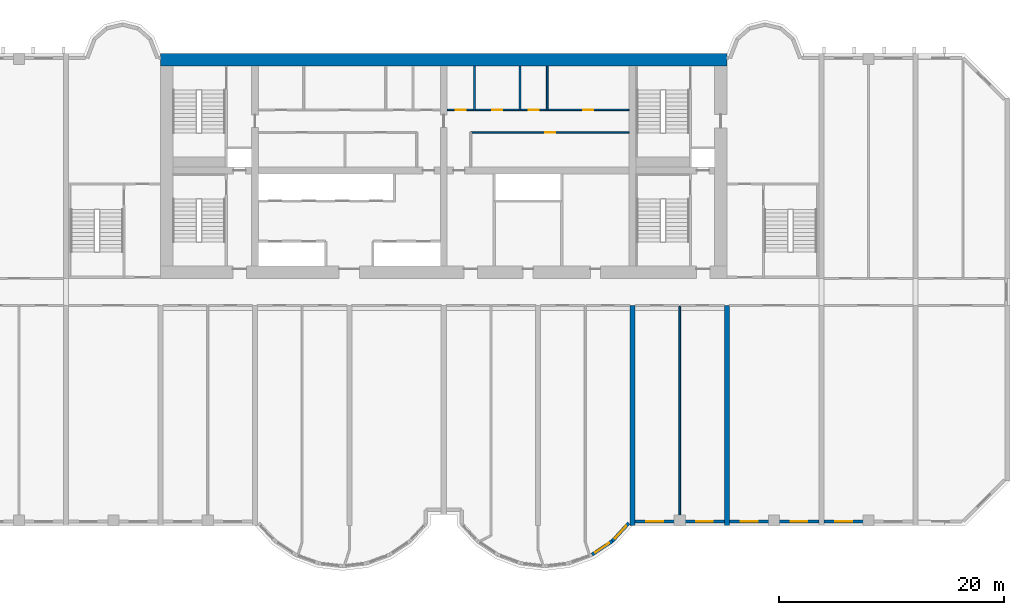
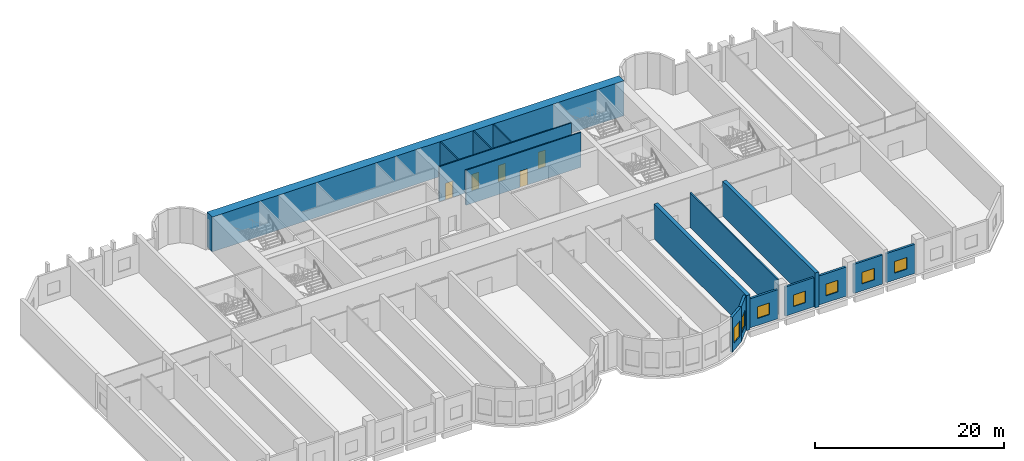
# One storey, part 6 of 10: 16 walls, 7 windows, 5 doors, 12 openings.
"""IFC4 building model written with IfcOpenShell, lengths in metres."""

import ifcopenshell
import ifcopenshell.guid

model = None  # the IFC model being written
_history = None  # IfcOwnerHistory: only IFC2X3 demands one
_inside = {}  # id of a spatial element -> (the spatial element, [elements in it])
_under = {}  # id of a project, library or spatial element -> (it, [spatial elements below it])
_declared = {}  # id of a project -> (the project, [libraries it declares])
_typed = {}  # id of a type object -> (the type object, [elements of that type])
_made_of = {}  # id of a material, layer set ... -> (it, [elements and type objects made of it])


def new_model(schema):
    """Start an empty IFC model of exactly this schema.

    Asked for "IFC4X3", IfcOpenShell would pick the latest addendum, in which some entities
    have other attributes; the version numbers below select the first issue.
    IFC2X3 requires an IfcOwnerHistory on every rooted entity: one is made here for all.
    """
    global model, _history
    if schema == "IFC4X3":
        model = ifcopenshell.file(schema_version=(4, 3, 0, 0))
    else:
        model = ifcopenshell.file(schema=schema)
    _inside.clear()
    _under.clear()
    _declared.clear()
    _typed.clear()
    _made_of.clear()
    _history = None
    if model.schema == "IFC2X3":
        org = make("IfcOrganization", Name="unknown")
        user = make(
            "IfcPersonAndOrganization",
            ThePerson=make("IfcPerson", FamilyName="unknown"),
            TheOrganization=org,
        )
        app = make(
            "IfcApplication",
            ApplicationDeveloper=org,
            Version="unknown",
            ApplicationFullName="unknown",
            ApplicationIdentifier="unknown",
        )
        _history = make(
            "IfcOwnerHistory",
            OwningUser=user,
            OwningApplication=app,
            ChangeAction="ADDED",
            CreationDate=0,
        )
    return model


def make(cls, **values):
    """One entity of the class cls with the attributes given. An attribute that is None is left unset."""
    return model.create_entity(
        cls, **{name: value for name, value in values.items() if value is not None}
    )


def rooted(cls, **values):
    """An entity with a GlobalId (a new one), such as an element, a storey or a relation."""
    return make(cls, GlobalId=ifcopenshell.guid.new(), OwnerHistory=_history, **values)


def si_unit(unit_type, name, prefix=None):
    """IfcSIUnit, for example si_unit("LENGTHUNIT", "METRE", prefix="MILLI")."""
    return make("IfcSIUnit", UnitType=unit_type, Prefix=prefix, Name=name)


def assignment(units):
    """IfcUnitAssignment: the units of a project."""
    return None if units is None else make("IfcUnitAssignment", Units=units)


def point(xyz):
    """IfcCartesianPoint."""
    return None if xyz is None else make("IfcCartesianPoint", Coordinates=xyz)


def direction(xyz):
    """IfcDirection."""
    return None if xyz is None else make("IfcDirection", DirectionRatios=xyz)


def frame(location, z_axis=None, x_axis=None):
    """IfcAxis2Placement3D, a coordinate frame: its origin and axes. An axis left out is left unset."""
    return make(
        "IfcAxis2Placement3D",
        Location=point(location),
        Axis=direction(z_axis),
        RefDirection=direction(x_axis),
    )


def frame_2d(location, x_axis=None):
    """IfcAxis2Placement2D, a coordinate frame in the plane: its origin and x axis."""
    return make(
        "IfcAxis2Placement2D", Location=point(location), RefDirection=direction(x_axis)
    )


def origin():
    """The frame at (0, 0, 0) with its axes left unset."""
    return frame((0.0, 0.0, 0.0))


def place(relative_to, where):
    """IfcLocalPlacement: puts the frame where relative to a parent placement (None: the world)."""
    return make(
        "IfcLocalPlacement", PlacementRelTo=relative_to, RelativePlacement=where
    )


def context(
    kind, dimensions, precision=None, world=None, true_north=None, identifier=None
):
    """IfcGeometricRepresentationContext, for example the 3D "Model" context."""
    return make(
        "IfcGeometricRepresentationContext",
        ContextIdentifier=identifier,
        ContextType=kind,
        CoordinateSpaceDimension=dimensions,
        Precision=precision,
        WorldCoordinateSystem=world,
        TrueNorth=true_north,
    )


def subcontext(parent, identifier, kind, view, scale=None):
    """IfcGeometricRepresentationSubContext, for example "Body" below "Model"."""
    return make(
        "IfcGeometricRepresentationSubContext",
        ContextIdentifier=identifier,
        ContextType=kind,
        ParentContext=parent,
        TargetScale=scale,
        TargetView=view,
    )


def project(units=None, contexts=None):
    """IfcProject with its units and contexts."""
    return rooted(
        "IfcProject",
        Name="project",
        RepresentationContexts=contexts,
        UnitsInContext=assignment(units),
    )


def spatial(cls, under=None, at=None, **own):
    """A site, building, storey or space (cls), placed at a placement, below another one or the project."""
    s = rooted(cls, ObjectPlacement=at, **own)
    if under is not None:
        _under.setdefault(under.id(), (under, []))[1].append(s)
    return s


def profile(cls, at=None, kind="AREA", **sizes):
    """A parametric profile (cls). Its sizes go by their IFC names, for example OverallWidth=200.0."""
    return make(cls, ProfileType=kind, Position=at, **sizes)


def rectangle(**sizes):
    """IfcRectangleProfileDef."""
    return profile("IfcRectangleProfileDef", **sizes)


def extrude(swept, where, along, depth):
    """IfcExtrudedAreaSolid: the profile swept, set in the frame where, extruded along a direction by depth."""
    return make(
        "IfcExtrudedAreaSolid",
        SweptArea=swept,
        Position=where,
        ExtrudedDirection=direction(along),
        Depth=depth,
    )


def shape(context_of_items, identifier, shape_type, items):
    """IfcShapeRepresentation: the items that make up one representation, for example the "Body"."""
    return make(
        "IfcShapeRepresentation",
        ContextOfItems=context_of_items,
        RepresentationIdentifier=identifier,
        RepresentationType=shape_type,
        Items=items,
    )


def source(mapping_origin, context_of_items, identifier, shape_type, items):
    """IfcRepresentationMap: a shape defined once, which mapped items show again and again."""
    return make(
        "IfcRepresentationMap",
        MappingOrigin=mapping_origin,
        MappedRepresentation=shape(context_of_items, identifier, shape_type, items),
    )


def transform(
    local_origin,
    x_axis=None,
    y_axis=None,
    z_axis=None,
    scale=None,
    scale2=None,
    scale3=None,
    uniform=True,
):
    """IfcCartesianTransformationOperator3D, or its non-uniform kind. x_axis, y_axis, z_axis: its Axis1, 2, 3."""
    if uniform:
        return make(
            "IfcCartesianTransformationOperator3D",
            Axis1=direction(x_axis),
            Axis2=direction(y_axis),
            LocalOrigin=point(local_origin),
            Scale=scale,
            Axis3=direction(z_axis),
        )
    return make(
        "IfcCartesianTransformationOperator3DnonUniform",
        Axis1=direction(x_axis),
        Axis2=direction(y_axis),
        LocalOrigin=point(local_origin),
        Scale=scale,
        Axis3=direction(z_axis),
        Scale2=scale2,
        Scale3=scale3,
    )


def mapped(mapping_source, mapping_target):
    """IfcMappedItem: shows the shape of a source again, moved by a transform."""
    return make(
        "IfcMappedItem", MappingSource=mapping_source, MappingTarget=mapping_target
    )


def material(Name=None, Category=None):
    """IfcMaterial."""
    return make("IfcMaterial", Name=Name, Category=Category)


def layer(
    of_material, thickness, ventilated=None, Name=None, Category=None, Priority=None
):
    """IfcMaterialLayer: one layer of a wall or slab, of a material (None: an air gap)."""
    return make(
        "IfcMaterialLayer",
        Material=of_material,
        LayerThickness=thickness,
        IsVentilated=ventilated,
        Name=Name,
        Category=Category,
        Priority=Priority,
    )


def layer_set(layers, Name=None):
    """IfcMaterialLayerSet."""
    return make("IfcMaterialLayerSet", MaterialLayers=layers, LayerSetName=Name)


def made_of(thing, what):
    """Note that an element or type object is made of a material, layer set ...; save() writes the relation."""
    if what is not None:
        _made_of.setdefault(what.id(), (what, []))[1].append(thing)
    return thing


def type_object(cls, material=None, **own):
    """A type object (cls), such as IfcWallType, which elements share."""
    return made_of(rooted(cls, **own), material)


def element(
    cls,
    number,
    at=None,
    inside=None,
    cuts=None,
    type_object=None,
    material=None,
    context=None,
    identifier="Body",
    shape_type=None,
    held_by="IfcProductDefinitionShape",
    body=None,
    shapes=None,
    **own,
):
    """One element of the class cls, such as IfcWall. Its Tag is "e" and its number.

    at: its placement. inside: the storey or other place that contains it. cuts: it is an
    opening in that element (IfcRelVoidsElement). A single representation is given by context,
    identifier, shape_type and body (its items); several are given by shapes. held_by: the class
    of the entity that holds the representations. save() writes the other relations.
    """
    e = rooted(cls, Tag="e%d" % number, ObjectPlacement=at, **own)
    if body is not None:
        shapes = [shape(context, identifier, shape_type, body)]
    if shapes is not None:
        e.Representation = make(held_by, Representations=shapes)
    if inside is not None:
        _inside.setdefault(inside.id(), (inside, []))[1].append(e)
    if cuts is not None:
        rooted(
            "IfcRelVoidsElement", RelatingBuildingElement=cuts, RelatedOpeningElement=e
        )
    if type_object is not None:
        _typed.setdefault(type_object.id(), (type_object, []))[1].append(e)
    return made_of(e, material)


def fill(opening, filler):
    """IfcRelFillsElement: the door or window that sits in an opening."""
    return rooted(
        "IfcRelFillsElement",
        RelatingOpeningElement=opening,
        RelatedBuildingElement=filler,
    )


def aggregate(whole, parts):
    """IfcRelAggregates: a whole, such as a stair, and the parts it consists of."""
    return rooted("IfcRelAggregates", RelatingObject=whole, RelatedObjects=parts)


def save(model, path):
    """Write the relations noted so far, then the file.

    IfcRelAggregates (storeys below a building ...), IfcRelContainedInSpatialStructure (elements
    in a storey), IfcRelDefinesByType, IfcRelAssociatesMaterial and IfcRelDeclares: one each for
    every whole, place, type object, material and project.
    """
    for whole, parts in _under.values():
        aggregate(whole, parts)
    for where, things in _inside.values():
        rooted(
            "IfcRelContainedInSpatialStructure",
            RelatedElements=things,
            RelatingStructure=where,
        )
    for kind, things in _typed.values():
        rooted("IfcRelDefinesByType", RelatedObjects=things, RelatingType=kind)
    for what, things in _made_of.values():
        rooted("IfcRelAssociatesMaterial", RelatedObjects=things, RelatingMaterial=what)
    for by, libraries in _declared.values():
        rooted("IfcRelDeclares", RelatingContext=by, RelatedDefinitions=libraries)
    model.write(path)


model = new_model("IFC4")

# Units and contexts
model_context = context("Model", 3, precision=1e-05, world=origin(), true_north=direction((0.0, 1.0)))
body_context = subcontext(model_context, "Body", "Model", "MODEL_VIEW")
ifc_project = project(units=[si_unit("LENGTHUNIT", "METRE"), si_unit("AREAUNIT", "SQUARE_METRE"), si_unit("VOLUMEUNIT", "CUBIC_METRE"), si_unit("PLANEANGLEUNIT", "RADIAN"), si_unit("MASSUNIT", "GRAM", prefix="KILO")], contexts=[model_context])

# Site, building, storey
site_placement = place(None, origin())
site = spatial("IfcSite", under=ifc_project, at=site_placement, CompositionType="ELEMENT")
building_placement = place(site_placement, origin())
building = spatial("IfcBuilding", under=site, at=building_placement, Name="Vanashikhar Sky Hotel", CompositionType="ELEMENT")
storey_placement = place(building_placement, frame((0.0, 0.0, 23.0)))
storey = spatial("IfcBuildingStorey", under=building, at=storey_placement, Name="L04", CompositionType="ELEMENT", Elevation=23.0)

# Walls
ifc_material_1 = material(Name="Concrete M80", Category="concrete")
ifc_layer_1 = layer(ifc_material_1, 1.10009765625)
ifc_layer_set_1 = layer_set([ifc_layer_1], Name="RC core shell wall 1100 Concrete M80")
wall_type_1 = type_object("IfcWallType", Name="RC core shell wall 1100 Concrete M80", PredefinedType="SHEAR", material=ifc_layer_set_1)
shared_shape_1 = source(origin(), body_context, "Body", "SweptSolid", [
    extrude(rectangle(XDim=50.400146484375, YDim=1.10009765625, at=frame_2d((25.2001953125, 0.0))), origin(), (0.0, 0.0, 1.0), 4.52001953125),
])
wall_1_placement = place(storey_placement, frame((25.199951171875, 41.449951171875, 0.0), z_axis=(0.0, 0.0, 1.0), x_axis=(1.0, 0.0, 0.0)))
element("IfcWall", 1, at=wall_1_placement, inside=storey, type_object=wall_type_1, Name="KW-L04-KN", PredefinedType="SHEAR", context=body_context, shape_type="MappedRepresentation", body=[
    mapped(shared_shape_1, transform((0.0, 0.0, 0.0), scale=1.0)),
])
ifc_layer_2 = layer(ifc_material_1, 0.449951171875)
ifc_layer_set_2 = layer_set([ifc_layer_2], Name="RC shear wall 450 Concrete M80")
wall_type_2 = type_object("IfcWallType", Name="RC shear wall 450 Concrete M80", PredefinedType="SHEAR", material=ifc_layer_set_2)
shared_shape_2 = source(origin(), body_context, "Body", "SweptSolid", [
    extrude(rectangle(XDim=19.60009765625, YDim=0.449951171875, at=frame_2d((9.800048828125, 0.0))), origin(), (0.0, 0.0, 1.0), 4.52001953125),
])
for number, where, z_axis, x_axis, name in (
    (2, (67.199951171875, 0.0, 0.0), (0.0, 0.0, 1.0), (0.0, 1.0, 0.0), "CW-L04-XW09-1"),
    (3, (75.60009765625, 0.0, 0.0), (0.0, 0.0, 1.0), (0.0, 1.0, 0.0), "CW-L04-XW10-1"),
):
    element("IfcWall", number, at=place(storey_placement, frame(where, z_axis=z_axis, x_axis=x_axis)), inside=storey, type_object=wall_type_2, Name=name, PredefinedType="SHEAR", context=body_context, shape_type="MappedRepresentation", body=[
        mapped(shared_shape_2, transform((0.0, 0.0, 0.0), scale=1.0)),
    ])

# Wall, opening, window
ifc_material_2 = material(Name="Concrete M50", Category="concrete")
ifc_layer_3 = layer(ifc_material_2, 0.300048828125)
ifc_layer_set_3 = layer_set([ifc_layer_3], Name="Lobe wall 300")
wall_type_3 = type_object("IfcWallType", Name="Lobe wall 300", PredefinedType="SOLIDWALL", material=ifc_layer_set_3)
shared_shape_3 = source(origin(), body_context, "Body", "SweptSolid", [
    extrude(rectangle(XDim=2.17578125, YDim=0.300048828125, at=frame_2d((1.087890625, 0.0))), origin(), (0.0, 0.0, 1.0), 4.52001953125),
])
wall_2_placement = place(storey_placement, frame((63.59912109375, -2.58349609375, 0.0), z_axis=(0.0, 0.0, 1.0), x_axis=(0.829625727223, 0.558319937607, 0.0)))
wall_2 = element("IfcWall", 4, at=wall_2_placement, inside=storey, type_object=wall_type_3, Name="Lobe wall", PredefinedType="SOLIDWALL", context=body_context, shape_type="MappedRepresentation", body=[
    mapped(shared_shape_3, transform((0.0, 0.0, 0.0), scale=1.0)),
])
shared_shape_4 = source(origin(), body_context, "Body", "SweptSolid", [
    extrude(rectangle(XDim=1.5, YDim=2.0, at=frame_2d((0.75, 1.0))), frame((0.0, 0.16015625, 0.0), z_axis=(0.0, -1.0, 0.0), x_axis=(1.0, 0.0, 0.0)), (0.0, 0.0, 1.0), 0.320068359375),
])
opening_1_placement = place(wall_2_placement, frame((0.337890625, 0.0, 0.89990234375)))
opening_1 = element("IfcOpeningElement", 5, at=opening_1_placement, cuts=wall_2, Name="Opening WN-2", PredefinedType="OPENING", context=body_context, shape_type="MappedRepresentation", body=[
    mapped(shared_shape_4, transform((0.0, 0.0, 0.0), scale=1.0)),
])
ifc_material_3 = material(Name="Glass", Category="glass")
window_type_1 = type_object("IfcWindowType", Name="Lobe window 1500 x 2000", PartitioningType="SINGLE_PANEL", PredefinedType="WINDOW", material=ifc_material_3)
shared_shape_5 = source(origin(), body_context, "Body", "SweptSolid", [
    extrude(rectangle(XDim=1.5, YDim=2.0, at=frame_2d((0.75, 1.0))), frame((0.0, 0.030029296875, 0.0), z_axis=(0.0, -1.0, 0.0), x_axis=(1.0, 0.0, 0.0)), (0.0, 0.0, 1.0), 0.06005859375),
])
window_1_placement = place(opening_1_placement, origin())
window_1 = element("IfcWindow", 6, at=window_1_placement, inside=storey, type_object=window_type_1, Name="Window WN-2", OverallHeight=2.0, OverallWidth=1.5, PartitioningType="SINGLE_PANEL", PredefinedType="WINDOW", context=body_context, shape_type="MappedRepresentation", body=[
    mapped(shared_shape_5, transform((0.0, 0.0, 0.0), scale=1.0)),
])
fill(opening_1, window_1)

shared_shape_6 = source(origin(), body_context, "Body", "SweptSolid", [
    extrude(rectangle(XDim=2.162109375, YDim=0.300048828125, at=frame_2d((1.0810546875, 0.0))), origin(), (0.0, 0.0, 1.0), 4.52001953125),
])
wall_3_placement = place(storey_placement, frame((65.404296875, -1.36865234375, 0.0), z_axis=(0.0, 0.0, 1.0), x_axis=(0.67537173084, 0.737477474355, 0.0)))
wall_3 = element("IfcWall", 7, at=wall_3_placement, inside=storey, type_object=wall_type_3, Name="Lobe wall", PredefinedType="SOLIDWALL", context=body_context, shape_type="MappedRepresentation", body=[
    mapped(shared_shape_6, transform((0.0, 0.0, 0.0), scale=1.0)),
])
opening_2_placement = place(wall_3_placement, frame((0.3310546875, 0.0, 0.89990234375)))
opening_2 = element("IfcOpeningElement", 8, at=opening_2_placement, cuts=wall_3, Name="Opening WN-2", PredefinedType="OPENING", context=body_context, shape_type="MappedRepresentation", body=[
    mapped(shared_shape_4, transform((0.0, 0.0, 0.0), scale=1.0)),
])
window_2_placement = place(opening_2_placement, origin())
window_2 = element("IfcWindow", 9, at=window_2_placement, inside=storey, type_object=window_type_1, Name="Window WN-2", OverallHeight=2.0, OverallWidth=1.5, PartitioningType="SINGLE_PANEL", PredefinedType="WINDOW", context=body_context, shape_type="MappedRepresentation", body=[
    mapped(shared_shape_5, transform((0.0, 0.0, 0.0), scale=1.0)),
])
fill(opening_2, window_2)

ifc_layer_4 = layer(ifc_material_2, 0.25)
ifc_layer_set_4 = layer_set([ifc_layer_4], Name="Rear and end board-marked wall 250")
wall_type_4 = type_object("IfcWallType", Name="Rear and end board-marked wall 250", PredefinedType="SOLIDWALL", material=ifc_layer_set_4)
shared_shape_7 = source(origin(), body_context, "Body", "SweptSolid", [
    extrude(rectangle(XDim=3.52490234375, YDim=0.25, at=frame_2d((1.762451171875, 0.0))), origin(), (0.0, 0.0, 1.0), 3.77001953125),
])
wall_4_placement = place(storey_placement, frame((67.425048828125, 0.375, 0.0), z_axis=(0.0, 0.0, 1.0), x_axis=(1.0, 0.0, 0.0)))
wall_4 = element("IfcWall", 10, at=wall_4_placement, inside=storey, type_object=wall_type_4, Name="Podium external wall", PredefinedType="SOLIDWALL", context=body_context, shape_type="MappedRepresentation", body=[
    mapped(shared_shape_7, transform((0.0, 0.0, 0.0), scale=1.0)),
])
shared_shape_8 = source(origin(), body_context, "Body", "SweptSolid", [
    extrude(rectangle(XDim=1.5, YDim=1.5, at=frame_2d((0.75, 0.75))), frame((0.0, 0.135009765625, 0.0), z_axis=(0.0, -1.0, 0.0), x_axis=(1.0, 0.0, 0.0)), (0.0, 0.0, 1.0), 0.27001953125),
])
opening_3_placement = place(wall_4_placement, frame((1.012451171875, 0.0, 0.89990234375)))
opening_3 = element("IfcOpeningElement", 11, at=opening_3_placement, cuts=wall_4, Name="Opening WN-1", PredefinedType="OPENING", context=body_context, shape_type="MappedRepresentation", body=[
    mapped(shared_shape_8, transform((0.0, 0.0, 0.0), scale=1.0)),
])
window_type_2 = type_object("IfcWindowType", Name="Window 1500 x 1500", PartitioningType="SINGLE_PANEL", PredefinedType="WINDOW", material=ifc_material_3)
shared_shape_9 = source(origin(), body_context, "Body", "SweptSolid", [
    extrude(rectangle(XDim=1.5, YDim=1.5, at=frame_2d((0.75, 0.75))), frame((0.0, 0.030029296875, 0.0), z_axis=(0.0, -1.0, 0.0), x_axis=(1.0, 0.0, 0.0)), (0.0, 0.0, 1.0), 0.06005859375),
])
window_3_placement = place(opening_3_placement, origin())
window_3 = element("IfcWindow", 12, at=window_3_placement, inside=storey, type_object=window_type_2, Name="Window WN-1", OverallHeight=1.5, OverallWidth=1.5, PartitioningType="SINGLE_PANEL", PredefinedType="WINDOW", context=body_context, shape_type="MappedRepresentation", body=[
    mapped(shared_shape_9, transform((0.0, 0.0, 0.0), scale=1.0)),
])
fill(opening_3, window_3)

wall_5_placement = place(storey_placement, frame((71.85009765625, 0.375, 0.0), z_axis=(0.0, 0.0, 1.0), x_axis=(1.0, 0.0, 0.0)))
wall_5 = element("IfcWall", 13, at=wall_5_placement, inside=storey, type_object=wall_type_4, Name="Podium external wall", PredefinedType="SOLIDWALL", context=body_context, shape_type="MappedRepresentation", body=[
    mapped(shared_shape_7, transform((0.0, 0.0, 0.0), scale=1.0)),
])
opening_4_placement = place(wall_5_placement, frame((1.012451171875, 0.0, 0.89990234375)))
opening_4 = element("IfcOpeningElement", 14, at=opening_4_placement, cuts=wall_5, Name="Opening WN-1", PredefinedType="OPENING", context=body_context, shape_type="MappedRepresentation", body=[
    mapped(shared_shape_8, transform((0.0, 0.0, 0.0), scale=1.0)),
])
window_4_placement = place(opening_4_placement, origin())
window_4 = element("IfcWindow", 15, at=window_4_placement, inside=storey, type_object=window_type_2, Name="Window WN-1", OverallHeight=1.5, OverallWidth=1.5, PartitioningType="SINGLE_PANEL", PredefinedType="WINDOW", context=body_context, shape_type="MappedRepresentation", body=[
    mapped(shared_shape_9, transform((0.0, 0.0, 0.0), scale=1.0)),
])
fill(opening_4, window_4)

wall_6_placement = place(storey_placement, frame((80.25, 0.375, 0.0), z_axis=(0.0, 0.0, 1.0), x_axis=(1.0, 0.0, 0.0)))
wall_6 = element("IfcWall", 16, at=wall_6_placement, inside=storey, type_object=wall_type_4, Name="Podium external wall", PredefinedType="SOLIDWALL", context=body_context, shape_type="MappedRepresentation", body=[
    mapped(shared_shape_7, transform((0.0, 0.0, 0.0), scale=1.0)),
])
opening_5_placement = place(wall_6_placement, frame((1.012451171875, 0.0, 0.89990234375)))
opening_5 = element("IfcOpeningElement", 17, at=opening_5_placement, cuts=wall_6, Name="Opening WN-1", PredefinedType="OPENING", context=body_context, shape_type="MappedRepresentation", body=[
    mapped(shared_shape_8, transform((0.0, 0.0, 0.0), scale=1.0)),
])
window_5_placement = place(opening_5_placement, origin())
window_5 = element("IfcWindow", 18, at=window_5_placement, inside=storey, type_object=window_type_2, Name="Window WN-1", OverallHeight=1.5, OverallWidth=1.5, PartitioningType="SINGLE_PANEL", PredefinedType="WINDOW", context=body_context, shape_type="MappedRepresentation", body=[
    mapped(shared_shape_9, transform((0.0, 0.0, 0.0), scale=1.0)),
])
fill(opening_5, window_5)

wall_7_placement = place(storey_placement, frame((84.22509765625, 0.375, 0.0), z_axis=(0.0, 0.0, 1.0), x_axis=(1.0, 0.0, 0.0)))
wall_7 = element("IfcWall", 19, at=wall_7_placement, inside=storey, type_object=wall_type_4, Name="Podium external wall", PredefinedType="SOLIDWALL", context=body_context, shape_type="MappedRepresentation", body=[
    mapped(shared_shape_7, transform((0.0, 0.0, 0.0), scale=1.0)),
])
opening_6_placement = place(wall_7_placement, frame((1.012451171875, 0.0, 0.89990234375)))
opening_6 = element("IfcOpeningElement", 20, at=opening_6_placement, cuts=wall_7, Name="Opening WN-1", PredefinedType="OPENING", context=body_context, shape_type="MappedRepresentation", body=[
    mapped(shared_shape_8, transform((0.0, 0.0, 0.0), scale=1.0)),
])
window_6_placement = place(opening_6_placement, origin())
window_6 = element("IfcWindow", 21, at=window_6_placement, inside=storey, type_object=window_type_2, Name="Window WN-1", OverallHeight=1.5, OverallWidth=1.5, PartitioningType="SINGLE_PANEL", PredefinedType="WINDOW", context=body_context, shape_type="MappedRepresentation", body=[
    mapped(shared_shape_9, transform((0.0, 0.0, 0.0), scale=1.0)),
])
fill(opening_6, window_6)

shared_shape_10 = source(origin(), body_context, "Body", "SweptSolid", [
    extrude(rectangle(XDim=3.525146484375, YDim=0.25, at=frame_2d((1.7626953125, 0.0))), origin(), (0.0, 0.0, 1.0), 3.77001953125),
])
wall_8_placement = place(storey_placement, frame((75.824951171875, 0.375, 0.0), z_axis=(0.0, 0.0, 1.0), x_axis=(1.0, 0.0, 0.0)))
wall_8 = element("IfcWall", 22, at=wall_8_placement, inside=storey, type_object=wall_type_4, Name="Podium external wall", PredefinedType="SOLIDWALL", context=body_context, shape_type="MappedRepresentation", body=[
    mapped(shared_shape_10, transform((0.0, 0.0, 0.0), scale=1.0)),
])
opening_7_placement = place(wall_8_placement, frame((1.012451171875, 0.0, 0.89990234375)))
opening_7 = element("IfcOpeningElement", 23, at=opening_7_placement, cuts=wall_8, Name="Opening WN-1", PredefinedType="OPENING", context=body_context, shape_type="MappedRepresentation", body=[
    mapped(shared_shape_8, transform((0.0, 0.0, 0.0), scale=1.0)),
])
window_7_placement = place(opening_7_placement, origin())
window_7 = element("IfcWindow", 24, at=window_7_placement, inside=storey, type_object=window_type_2, Name="Window WN-1", OverallHeight=1.5, OverallWidth=1.5, PartitioningType="SINGLE_PANEL", PredefinedType="WINDOW", context=body_context, shape_type="MappedRepresentation", body=[
    mapped(shared_shape_9, transform((0.0, 0.0, 0.0), scale=1.0)),
])
fill(opening_7, window_7)

# Walls
ifc_material_4 = material(Name="Gypsum board partition")
ifc_layer_5 = layer(ifc_material_4, 0.14990234375)
ifc_layer_set_5 = layer_set([ifc_layer_5], Name="Service partition 150")
wall_type_5 = type_object("IfcWallType", Name="Service partition 150", PredefinedType="PARTITIONING", material=ifc_layer_set_5)
shared_shape_11 = source(origin(), body_context, "Body", "SweptSolid", [
    extrude(rectangle(XDim=3.89990234375, YDim=0.14990234375, at=frame_2d((1.949951171875, 0.0))), origin(), (0.0, 0.0, 1.0), 4.52001953125),
])
for number, where, z_axis, x_axis, name in (
    (25, (59.610107421875, 37.0, 0.0), (0.0, 0.0, 1.0), (0.0, 1.0, 0.0), "Service partition 150"),
    (26, (57.179931640625, 37.0, 0.0), (0.0, 0.0, 1.0), (0.0, 1.0, 0.0), "Service partition 150"),
    (27, (53.1298828125, 37.0, 0.0), (0.0, 0.0, 1.0), (0.0, 1.0, 0.0), "Service partition 150"),
):
    element("IfcWall", number, at=place(storey_placement, frame(where, z_axis=z_axis, x_axis=x_axis)), inside=storey, type_object=wall_type_5, Name=name, PredefinedType="PARTITIONING", context=body_context, shape_type="MappedRepresentation", body=[
        mapped(shared_shape_11, transform((0.0, 0.0, 0.0), scale=1.0)),
    ])

# Wall, opening, door
shared_shape_12 = source(origin(), body_context, "Body", "SweptSolid", [
    extrude(rectangle(XDim=14.099853515625, YDim=0.14990234375, at=frame_2d((7.0498046875, 0.0))), origin(), (0.0, 0.0, 1.0), 4.52001953125),
])
wall_9_placement = place(storey_placement, frame((66.89990234375, 35.0, 0.0), z_axis=(0.0, 0.0, 1.0), x_axis=(-1.0, 0.0, 0.0)))
wall_9 = element("IfcWall", 28, at=wall_9_placement, inside=storey, type_object=wall_type_5, Name="Service partition 150", PredefinedType="PARTITIONING", context=body_context, shape_type="MappedRepresentation", body=[
    mapped(shared_shape_12, transform((0.0, 0.0, 0.0), scale=1.0)),
])
shared_shape_13 = source(origin(), body_context, "Body", "SweptSolid", [
    extrude(rectangle(XDim=0.89990234375, YDim=2.10009765625, at=frame_2d((0.449951171875, 1.050048828125))), frame((0.0, 0.0849609375, 0.0), z_axis=(0.0, -1.0, 0.0), x_axis=(1.0, 0.0, 0.0)), (0.0, 0.0, 1.0), 0.169921875),
])
opening_8_placement = place(wall_9_placement, frame((6.56201171875, 0.0, 0.0)))
opening_8 = element("IfcOpeningElement", 29, at=opening_8_placement, cuts=wall_9, Name="Opening DC-4-A", PredefinedType="OPENING", context=body_context, shape_type="MappedRepresentation", body=[
    mapped(shared_shape_13, transform((0.0, 0.0, 0.0), scale=1.0)),
])
ifc_material_5 = material(Name="Steel", Category="steel")
door_type = type_object("IfcDoorType", Name="Service door 900 FD60", OperationType="NOTDEFINED", PredefinedType="DOOR", material=ifc_material_5)
shared_shape_14 = source(origin(), body_context, "Body", "SweptSolid", [
    extrude(rectangle(XDim=0.89990234375, YDim=2.10009765625, at=frame_2d((0.449951171875, 1.050048828125))), frame((0.0, 0.02490234375, 0.0), z_axis=(0.0, -1.0, 0.0), x_axis=(1.0, 0.0, 0.0)), (0.0, 0.0, 1.0), 0.050048828125),
])
door_1_placement = place(opening_8_placement, origin())
door_1 = element("IfcDoor", 30, at=door_1_placement, inside=storey, type_object=door_type, Name="Service door 900 FD60", OperationType="SINGLE_SWING_RIGHT", OverallHeight=2.10009765625, OverallWidth=0.89990234375, PredefinedType="DOOR", context=body_context, shape_type="MappedRepresentation", body=[
    mapped(shared_shape_14, transform((0.0, 0.0, 0.0), scale=1.0)),
])
fill(opening_8, door_1)

# Wall, openings, doors
shared_shape_15 = source(origin(), body_context, "Body", "SweptSolid", [
    extrude(rectangle(XDim=16.199951171875, YDim=0.14990234375, at=frame_2d((8.10009765625, 0.0))), origin(), (0.0, 0.0, 1.0), 4.52001953125),
])
wall_10_placement = place(storey_placement, frame((66.89990234375, 37.0, 0.0), z_axis=(0.0, 0.0, 1.0), x_axis=(-1.0, 0.0, 0.0)))
wall_10 = element("IfcWall", 31, at=wall_10_placement, inside=storey, type_object=wall_type_5, Name="Service partition 150", PredefinedType="PARTITIONING", context=body_context, shape_type="MappedRepresentation", body=[
    mapped(shared_shape_15, transform((0.0, 0.0, 0.0), scale=1.0)),
])
opening_9_placement = place(wall_10_placement, frame((3.195068359375, 0.0, 0.0)))
opening_9 = element("IfcOpeningElement", 32, at=opening_9_placement, cuts=wall_10, Name="Opening DC-4-A", PredefinedType="OPENING", context=body_context, shape_type="MappedRepresentation", body=[
    mapped(shared_shape_13, transform((0.0, 0.0, 0.0), scale=1.0)),
])
opening_10_placement = place(wall_10_placement, frame((8.054931640625, 0.0, 0.0)))
opening_10 = element("IfcOpeningElement", 33, at=opening_10_placement, cuts=wall_10, Name="Opening DC-4-A", PredefinedType="OPENING", context=body_context, shape_type="MappedRepresentation", body=[
    mapped(shared_shape_13, transform((0.0, 0.0, 0.0), scale=1.0)),
])
opening_11_placement = place(wall_10_placement, frame((11.294921875, 0.0, 0.0)))
opening_11 = element("IfcOpeningElement", 34, at=opening_11_placement, cuts=wall_10, Name="Opening DC-4-A", PredefinedType="OPENING", context=body_context, shape_type="MappedRepresentation", body=[
    mapped(shared_shape_13, transform((0.0, 0.0, 0.0), scale=1.0)),
])
opening_12_placement = place(wall_10_placement, frame((14.534912109375, 0.0, 0.0)))
opening_12 = element("IfcOpeningElement", 35, at=opening_12_placement, cuts=wall_10, Name="Opening DC-4-A", PredefinedType="OPENING", context=body_context, shape_type="MappedRepresentation", body=[
    mapped(shared_shape_13, transform((0.0, 0.0, 0.0), scale=1.0)),
])
door_2_placement = place(opening_9_placement, origin())
door_2 = element("IfcDoor", 36, at=door_2_placement, inside=storey, type_object=door_type, Name="Service door 900 FD60", OperationType="SINGLE_SWING_LEFT", OverallHeight=2.10009765625, OverallWidth=0.89990234375, PredefinedType="DOOR", context=body_context, shape_type="MappedRepresentation", body=[
    mapped(shared_shape_14, transform((0.0, 0.0, 0.0), scale=1.0)),
])
fill(opening_9, door_2)
door_3_placement = place(opening_10_placement, origin())
door_3 = element("IfcDoor", 37, at=door_3_placement, inside=storey, type_object=door_type, Name="Service door 900 FD60", OperationType="SINGLE_SWING_LEFT", OverallHeight=2.10009765625, OverallWidth=0.89990234375, PredefinedType="DOOR", context=body_context, shape_type="MappedRepresentation", body=[
    mapped(shared_shape_14, transform((0.0, 0.0, 0.0), scale=1.0)),
])
fill(opening_10, door_3)
door_4_placement = place(opening_11_placement, origin())
door_4 = element("IfcDoor", 38, at=door_4_placement, inside=storey, type_object=door_type, Name="Service door 900 FD60", OperationType="SINGLE_SWING_RIGHT", OverallHeight=2.10009765625, OverallWidth=0.89990234375, PredefinedType="DOOR", context=body_context, shape_type="MappedRepresentation", body=[
    mapped(shared_shape_14, transform((0.0, 0.0, 0.0), scale=1.0)),
])
fill(opening_11, door_4)
door_5_placement = place(opening_12_placement, origin())
door_5 = element("IfcDoor", 39, at=door_5_placement, inside=storey, type_object=door_type, Name="Service door 900 FD60", OperationType="SINGLE_SWING_RIGHT", OverallHeight=2.10009765625, OverallWidth=0.89990234375, PredefinedType="DOOR", context=body_context, shape_type="MappedRepresentation", body=[
    mapped(shared_shape_14, transform((0.0, 0.0, 0.0), scale=1.0)),
])
fill(opening_12, door_5)

# Wall
ifc_material_6 = material(Name="Gypsum plasterboard partition")
ifc_layer_6 = layer(ifc_material_6, 0.14990234375)
ifc_layer_set_6 = layer_set([ifc_layer_6], Name="Corridor and demising partition 150")
wall_type_6 = type_object("IfcWallType", Name="Corridor and demising partition 150", PredefinedType="PARTITIONING", material=ifc_layer_set_6)
shared_shape_16 = source(origin(), body_context, "Body", "SweptSolid", [
    extrude(rectangle(XDim=18.625, YDim=0.14990234375, at=frame_2d((9.3125, 0.0))), origin(), (0.0, 0.0, 1.0), 4.52001953125),
])
wall_11_placement = place(storey_placement, frame((71.39990234375, 0.89990234375, 0.0), z_axis=(0.0, 0.0, 1.0), x_axis=(0.0, 1.0, 0.0)))
element("IfcWall", 40, at=wall_11_placement, inside=storey, type_object=wall_type_6, Name="W-L04-PW023", PredefinedType="PARTITIONING", context=body_context, shape_type="MappedRepresentation", body=[
    mapped(shared_shape_16, transform((0.0, 0.0, 0.0), scale=1.0)),
])

save(model, "model.ifc")
